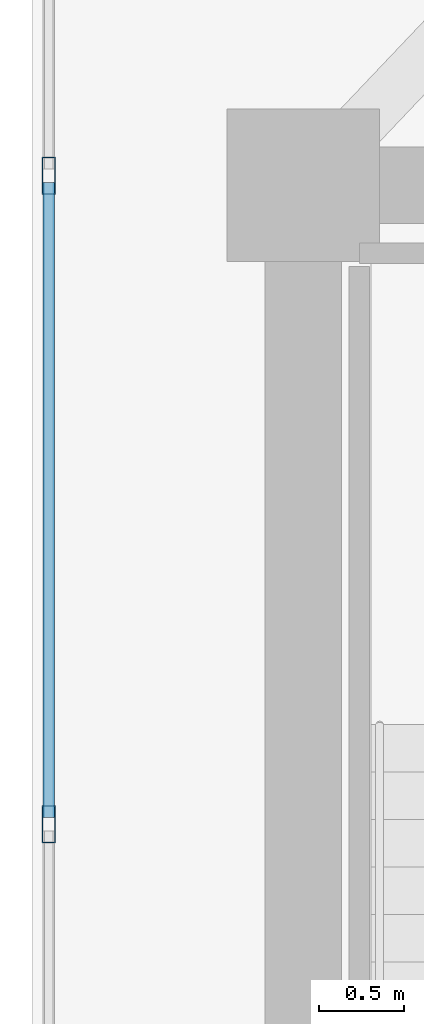
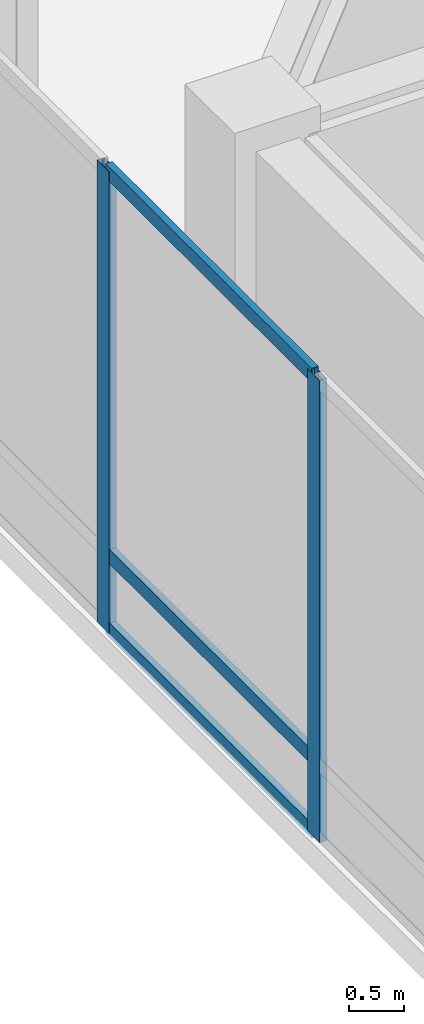
# One storey, part 11 of 30: 5 members, 1 element without a shape of its own.
"""IFC4 building model written with IfcOpenShell, lengths in metres."""

from ifc_helpers import new_model, si_unit, direction, frame, origin, origin_2d, place, context, subcontext, project, spatial, hollow_rectangle, extrude, source, transform, mapped, material, layer, layer_set, material_profile, profile_set, type_object, type_shapes, element, aggregate, save


model = new_model("IFC4")

# Units and contexts
model_context = context("Model", 3, precision=1e-05, world=origin(), true_north=direction((0.0, 1.0)))
body_context = subcontext(model_context, "Body", "Model", "MODEL_VIEW")
ifc_project = project(units=[si_unit("LENGTHUNIT", "METRE"), si_unit("AREAUNIT", "SQUARE_METRE"), si_unit("VOLUMEUNIT", "CUBIC_METRE"), si_unit("PLANEANGLEUNIT", "RADIAN"), si_unit("MASSUNIT", "GRAM", prefix="KILO")], contexts=[model_context])

# Site, building, storey
site_placement = place(None, origin())
site = spatial("IfcSite", under=ifc_project, at=site_placement, CompositionType="ELEMENT")
building_placement = place(site_placement, origin())
building = spatial("IfcBuilding", under=site, at=building_placement, Name="Haelvirn Gate Laboratories", CompositionType="ELEMENT")
storey_placement = place(building_placement, frame((0.0, 0.0, 332.39990234375)))
storey = spatial("IfcBuildingStorey", under=building, at=storey_placement, Name="L79", CompositionType="ELEMENT", Elevation=332.39990234375)

# Curtain wall, members
ifc_material_1 = material(Name="Anodised bronze unitised aluminium & triple low-E glass", Category="aluminium")
ifc_layer = layer(ifc_material_1, 0.19189453125, Name="CW-SYS-6")
ifc_layer_set = layer_set([ifc_layer], Name="Anodised bronze unitised aluminium & triple low-E glass")
curtain_wall_type = type_object("IfcCurtainWallType", Name="CW-SYS-6", PredefinedType="NOTDEFINED", material=ifc_layer_set)
curtain_wall_placement = place(storey_placement, origin())
curtain_wall = element("IfcCurtainWall", 1, at=curtain_wall_placement, inside=storey, type_object=curtain_wall_type, Name="L79 Unitised Curtain Wall CW-L79-P0-E17", PredefinedType="NOTDEFINED")
ifc_material_2 = material(Name="Extruded aluminium 6063-T6 (anodised bronze)", Category="aluminium")
ifc_material_profile_1 = material_profile(ifc_material_2, hollow_rectangle(XDim=0.080078125, YDim=0.219970703125, WallThickness=0.006103515625, at=origin_2d()), Name="CWM-220x80x6")
ifc_profile_set_1 = profile_set([ifc_material_profile_1], Name="Extruded aluminium 6063-T6 (anodised bronze)")
member_type_1 = type_object("IfcMemberType", Name="CWM-T220", PredefinedType="MULLION", material=ifc_profile_set_1)
shared_shape_1 = source(origin(), body_context, "Body", "SweptSolid", [
    extrude(hollow_rectangle(XDim=0.080078125, YDim=0.219970703125, WallThickness=0.006103515625, at=origin_2d()), origin(), (0.0, 0.0, 1.0), 5.1201171875),
])
type_shapes(member_type_1, [shared_shape_1])
member_1_placement = place(storey_placement, frame((5.89990234375, 33.85546875, 0.0), z_axis=(0.0, 0.0, 1.0), x_axis=(1.0, 0.0, 0.0)))
member_1 = element("IfcMember", 2, at=member_1_placement, type_object=member_type_1, Name="CW6 mullion 3", PredefinedType="MULLION", context=body_context, shape_type="MappedRepresentation", body=[
    mapped(shared_shape_1, transform((0.0, 0.0, 0.0), scale=1.0)),
])
member_2_placement = place(storey_placement, frame((5.89990234375, 30.033447265625, 0.0), z_axis=(0.0, 0.0, 1.0), x_axis=(1.0, 0.0, 0.0)))
member_2 = element("IfcMember", 3, at=member_2_placement, type_object=member_type_1, Name="CW6 mullion 4", PredefinedType="MULLION", context=body_context, shape_type="MappedRepresentation", body=[
    mapped(shared_shape_1, transform((0.0, 0.0, 0.0), scale=1.0)),
])
ifc_material_profile_2 = material_profile(ifc_material_2, hollow_rectangle(XDim=0.070068359375, YDim=0.159912109375, WallThickness=0.0048828125, at=origin_2d()), Name="CWT-160x70x5")
ifc_profile_set_2 = profile_set([ifc_material_profile_2], Name="Extruded aluminium 6063-T6 (anodised bronze)")
member_type_2 = type_object("IfcMemberType", Name="CWT-T160", PredefinedType="USERDEFINED", material=ifc_profile_set_2)
shared_shape_2 = source(origin(), body_context, "Body", "SweptSolid", [
    extrude(hollow_rectangle(XDim=0.070068359375, YDim=0.159912109375, WallThickness=0.0048828125, at=origin_2d()), origin(), (0.0, 0.0, 1.0), 3.742431640625),
])
type_shapes(member_type_2, [shared_shape_2])
member_3_placement = place(storey_placement, frame((5.89990234375, 33.815673828125, 0.03515625), z_axis=(0.0, -1.0, 0.0), x_axis=(1.0, 0.0, 0.0)))
member_3 = element("IfcMember", 4, at=member_3_placement, type_object=member_type_2, Name="CW6 transom 3.1", ObjectType="TRANSOM", PredefinedType="USERDEFINED", context=body_context, shape_type="MappedRepresentation", body=[
    mapped(shared_shape_2, transform((0.0, 0.0, 0.0), scale=1.0)),
])
member_4_placement = place(storey_placement, frame((5.89990234375, 33.815673828125, 0.85009765625), z_axis=(0.0, -1.0, 0.0), x_axis=(1.0, 0.0, 0.0)))
member_4 = element("IfcMember", 5, at=member_4_placement, type_object=member_type_2, Name="CW6 transom 3.2", ObjectType="TRANSOM", PredefinedType="USERDEFINED", context=body_context, shape_type="MappedRepresentation", body=[
    mapped(shared_shape_2, transform((0.0, 0.0, 0.0), scale=1.0)),
])
member_5_placement = place(storey_placement, frame((5.89990234375, 33.815673828125, 5.085205078125), z_axis=(0.0, -1.0, 0.0), x_axis=(1.0, 0.0, 0.0)))
member_5 = element("IfcMember", 6, at=member_5_placement, type_object=member_type_2, Name="CW6 transom 3.3", ObjectType="TRANSOM", PredefinedType="USERDEFINED", context=body_context, shape_type="MappedRepresentation", body=[
    mapped(shared_shape_2, transform((0.0, 0.0, 0.0), scale=1.0)),
])
aggregate(curtain_wall, [member_1, member_2, member_3, member_4, member_5])

save(model, "model.ifc")
